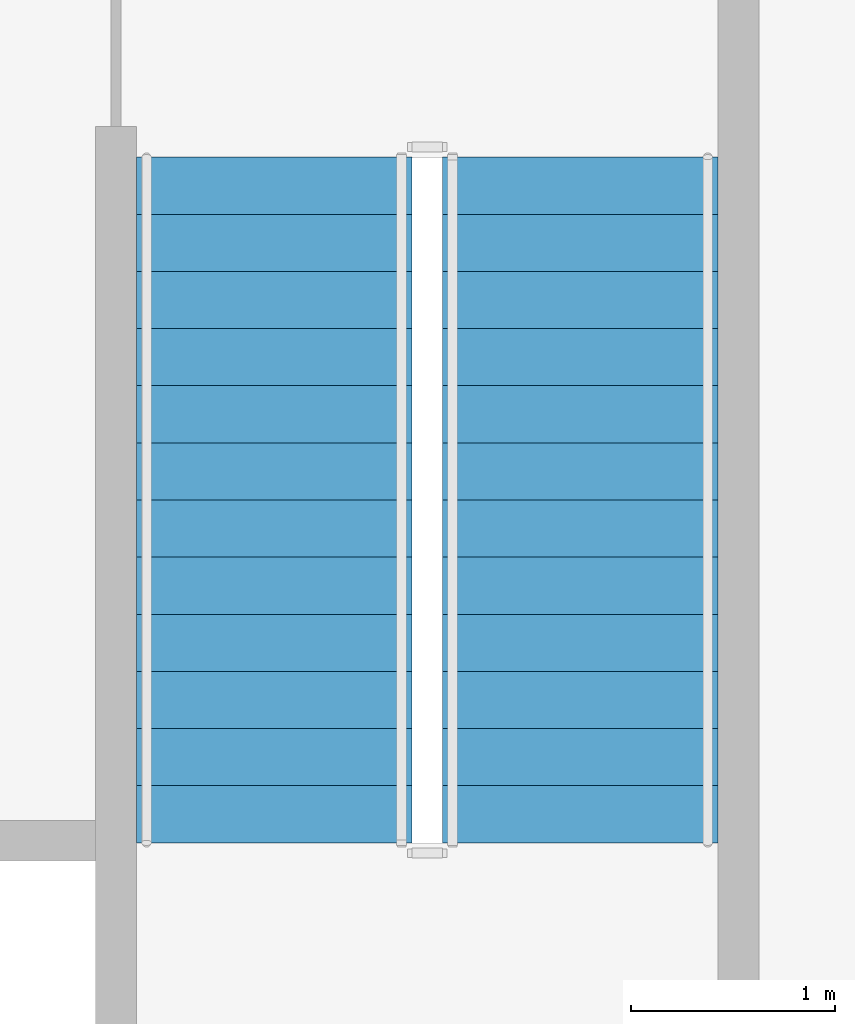
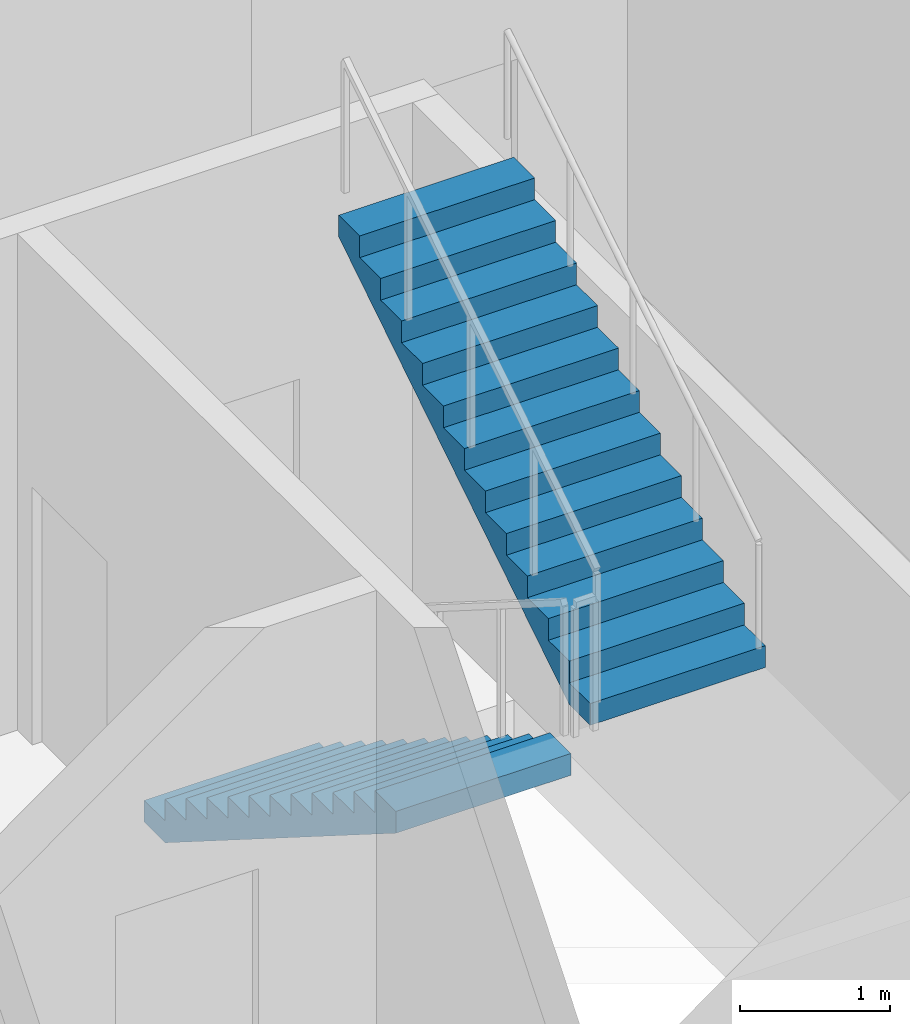
# One storey, part 15 of 20: 2 stair flights, 1 element without a shape of its own.
"""IFC4 building model written with IfcOpenShell, lengths in metres."""

from ifc_helpers import new_model, si_unit, direction, frame, origin, place, context, subcontext, project, spatial, polyline, outline, extrude, material, type_object, element, aggregate, save


model = new_model("IFC4")

# Units and contexts
model_context = context("Model", 3, precision=1e-05, world=origin(), true_north=direction((0.0, 1.0)))
body_context = subcontext(model_context, "Body", "Model", "MODEL_VIEW")
ifc_project = project(units=[si_unit("LENGTHUNIT", "METRE"), si_unit("AREAUNIT", "SQUARE_METRE"), si_unit("VOLUMEUNIT", "CUBIC_METRE"), si_unit("PLANEANGLEUNIT", "RADIAN"), si_unit("MASSUNIT", "GRAM", prefix="KILO")], contexts=[model_context])

# Site, building, storey
site_placement = place(None, origin())
site = spatial("IfcSite", under=ifc_project, at=site_placement, CompositionType="ELEMENT")
building_placement = place(site_placement, origin())
building = spatial("IfcBuilding", under=site, at=building_placement, Name="Mangrove Gate Tower", CompositionType="ELEMENT")
storey_placement = place(building_placement, frame((0.0, 0.0, 252.699951171875)))
storey = spatial("IfcBuildingStorey", under=building, at=storey_placement, Name="L64", CompositionType="ELEMENT", Elevation=252.699951171875)

# Stair, stair flights
ifc_material_1 = material(Name="Concrete C40/50", Category="concrete")
stair_type = type_object("IfcStairType", Name="Core stair 1350", PredefinedType="HALF_TURN_STAIR", material=ifc_material_1)
stair_placement = place(storey_placement, origin())
stair = element("IfcStair", 1, at=stair_placement, inside=storey, type_object=stair_type, Name="L64 Stair 3", PredefinedType="HALF_TURN_STAIR")
ifc_material_2 = material(Name="Concrete C40/50", Category="concrete")
stair_flight_type = type_object("IfcStairFlightType", Name="Core stair flight 1350", PredefinedType="STRAIGHT", material=ifc_material_2)
stair_flight_1_placement = place(storey_placement, frame((8.52490234375, -4.64990234375, 0.0), z_axis=(0.0, 0.0, 1.0), x_axis=(0.0, -1.0, 0.0)))
stair_flight_1 = element("IfcStairFlight", 2, at=stair_flight_1_placement, type_object=stair_flight_type, Name="ST3 flight 1", NumberOfRisers=13, NumberOfTreads=12, PredefinedType="STRAIGHT", RiserHeight=0.176923077, TreadLength=0.28, context=body_context, shape_type="SweptSolid", body=[
    extrude(outline(polyline([(0.0, 0.0), (0.0, 0.177001953125), (0.280029296875, 0.177001953125), (0.280029296875, 0.353759765625), (0.56005859375, 0.353759765625), (0.56005859375, 0.53076171875), (0.840087890625, 0.53076171875), (0.840087890625, 0.707763671875), (1.1201171875, 0.707763671875), (1.1201171875, 0.884521484375), (1.39990234375, 0.884521484375), (1.39990234375, 1.0615234375), (1.679931640625, 1.0615234375), (1.679931640625, 1.238525390625), (1.9599609375, 1.238525390625), (1.9599609375, 1.415283203125), (2.239990234375, 1.415283203125), (2.239990234375, 1.59228515625), (2.52001953125, 1.59228515625), (2.52001953125, 1.769287109375), (2.800048828125, 1.769287109375), (2.800048828125, 1.946044921875), (3.080078125, 1.946044921875), (3.080078125, 2.123046875), (3.360107421875, 2.123046875), (3.360107421875, 2.300048828125), (3.360107421875, 1.94580078125), (0.280517578125, 0.0), (0.0, 0.0)])), frame((0.0, 0.675048828125, 0.0), z_axis=(0.0, -1.0, 0.0), x_axis=(1.0, 0.0, 0.0)), (0.0, 0.0, 1.0), 1.35009765625),
])
stair_flight_2_placement = place(storey_placement, frame((10.02490234375, -8.010009765625, 2.300048828125), z_axis=(0.0, 0.0, 1.0), x_axis=(0.0, 1.0, 0.0)))
stair_flight_2 = element("IfcStairFlight", 3, at=stair_flight_2_placement, type_object=stair_flight_type, Name="ST3 flight 2", NumberOfRisers=13, NumberOfTreads=12, PredefinedType="STRAIGHT", RiserHeight=0.176923077, TreadLength=0.28, context=body_context, shape_type="SweptSolid", body=[
    extrude(outline(polyline([(0.0, 0.0), (0.0, 0.177001953125), (0.280029296875, 0.177001953125), (0.280029296875, 0.353759765625), (0.56005859375, 0.353759765625), (0.56005859375, 0.53076171875), (0.840087890625, 0.53076171875), (0.840087890625, 0.707763671875), (1.1201171875, 0.707763671875), (1.1201171875, 0.884521484375), (1.39990234375, 0.884521484375), (1.39990234375, 1.0615234375), (1.679931640625, 1.0615234375), (1.679931640625, 1.238525390625), (1.9599609375, 1.238525390625), (1.9599609375, 1.415283203125), (2.239990234375, 1.415283203125), (2.239990234375, 1.59228515625), (2.52001953125, 1.59228515625), (2.52001953125, 1.769287109375), (2.800048828125, 1.769287109375), (2.800048828125, 1.946044921875), (3.080078125, 1.946044921875), (3.080078125, 2.123046875), (3.360107421875, 2.123046875), (3.360107421875, 2.300048828125), (3.360107421875, 1.94580078125), (0.280517578125, 0.0), (0.0, 0.0)])), frame((0.0, 0.675048828125, 0.0), z_axis=(0.0, -1.0, 0.0), x_axis=(1.0, 0.0, 0.0)), (0.0, 0.0, 1.0), 1.35009765625),
])
aggregate(stair, [stair_flight_1, stair_flight_2])

save(model, "model.ifc")
